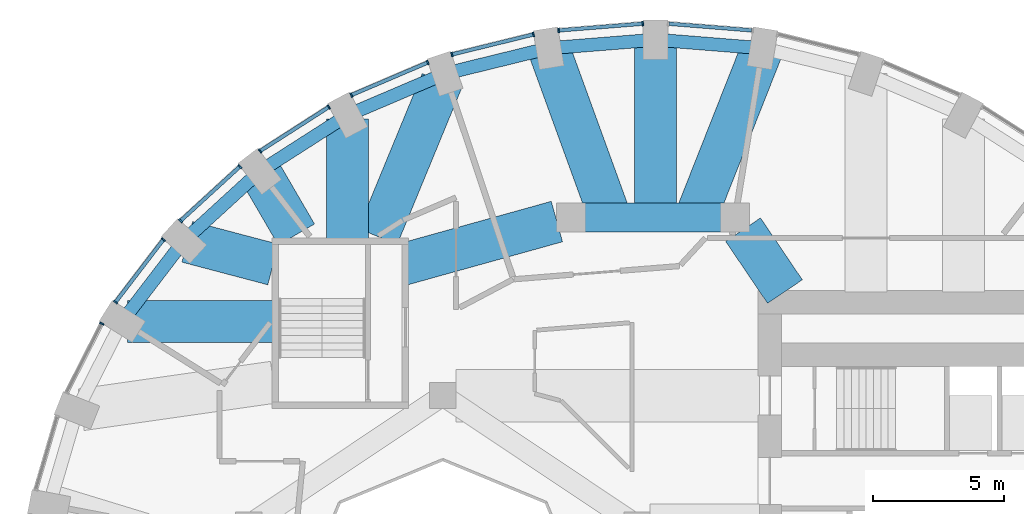
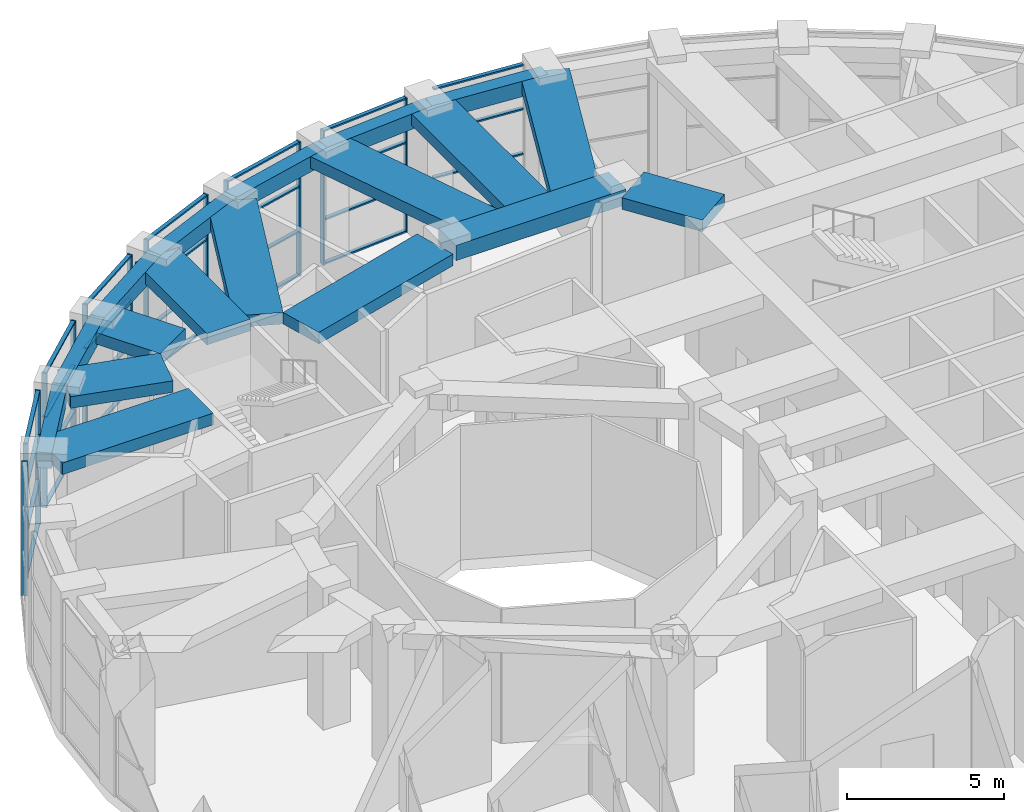
# One storey, part 7 of 17: 41 members, 18 beams, 8 elements without a shape of their own.
"""IFC4 building model written with IfcOpenShell, lengths in metres."""

from ifc_helpers import new_model, si_unit, direction, frame, origin, origin_2d, place, context, subcontext, project, spatial, rectangle, extrude, material, material_profile, profile_set, type_object, element, aggregate, save


model = new_model("IFC4")

# Units and contexts
model_context = context("Model", 3, precision=1e-05, world=origin(), true_north=direction((0.0, 1.0)))
body_context = subcontext(model_context, "Body", "Model", "MODEL_VIEW")
ifc_project = project(units=[si_unit("LENGTHUNIT", "METRE"), si_unit("AREAUNIT", "SQUARE_METRE"), si_unit("VOLUMEUNIT", "CUBIC_METRE"), si_unit("PLANEANGLEUNIT", "RADIAN"), si_unit("MASSUNIT", "GRAM", prefix="KILO")], contexts=[model_context])

# Site, building, storey
site_placement = place(None, origin())
site = spatial("IfcSite", under=ifc_project, at=site_placement, CompositionType="ELEMENT")
building_placement = place(site_placement, origin())
building = spatial("IfcBuilding", under=site, at=building_placement, Name="Taillehof Tower", CompositionType="ELEMENT")
storey_placement = place(building_placement, frame((0.0, 0.0, 139.60009765625)))
storey = spatial("IfcBuildingStorey", under=building, at=storey_placement, Name="L39", CompositionType="ELEMENT", Elevation=139.60009765625)

# Beams
ifc_material_1 = material(Name="Concrete C50/60", Category="concrete")
ifc_material_profile_1 = material_profile(ifc_material_1, rectangle(XDim=1.10009765625, YDim=0.60009765625, at=origin_2d()), Name="RC 1100x600")
ifc_profile_set_1 = profile_set([ifc_material_profile_1], Name="Concrete C50/60")
beam_type_1 = type_object("IfcBeamType", Name="Mid-ring beam C50/60 1100x600", PredefinedType="BEAM", material=ifc_profile_set_1)
beam_1_placement = place(storey_placement, frame((3.125732421875, 14.772216796875, 4.919921875), z_axis=(-1.0, 0.0, 0.0), x_axis=(0.0, -1.0, 0.0)))
element("IfcBeam", 1, at=beam_1_placement, inside=storey, type_object=beam_type_1, Name="Mid-ring beam MB01", PredefinedType="BEAM", context=body_context, shape_type="SweptSolid", body=[
    extrude(rectangle(XDim=1.10009765625, YDim=0.60009765625, at=origin_2d()), origin(), (0.0, 0.0, 1.0), 6.25146484375),
])
ifc_material_2 = material(Name="Concrete C50/60", Category="concrete")
ifc_material_profile_2 = material_profile(ifc_material_2, rectangle(XDim=1.60009765625, YDim=0.449951171875, at=origin_2d()), Name="RC 1600x450")
ifc_profile_set_2 = profile_set([ifc_material_profile_2], Name="Concrete C50/60")
beam_type_2 = type_object("IfcBeamType", Name="Radial band beam C50/60 1600x450", PredefinedType="BEAM", material=ifc_profile_set_2)
beam_2_placement = place(storey_placement, frame((4.172119140625, 21.22412109375, 4.994873046875), z_axis=(-0.36711444375, -0.930175781877, 0.0), x_axis=(0.930175781877, -0.36711444375, 0.0)))
element("IfcBeam", 2, at=beam_2_placement, inside=storey, type_object=beam_type_2, Name="Radial band beam RB09", PredefinedType="BEAM", context=body_context, shape_type="SweptSolid", body=[
    extrude(rectangle(XDim=1.60009765625, YDim=0.449951171875, at=origin_2d()), origin(), (0.0, 0.0, 1.0), 6.936279296875),
])
beam_3_placement = place(storey_placement, frame((0.10009765625, 21.550048828125, 4.994873046875), z_axis=(0.0, -1.0, 0.0), x_axis=(1.0, 0.0, 0.0)))
element("IfcBeam", 3, at=beam_3_placement, inside=storey, type_object=beam_type_2, Name="Radial band beam RB10", PredefinedType="BEAM", context=body_context, shape_type="SweptSolid", body=[
    extrude(rectangle(XDim=1.60009765625, YDim=0.449951171875, at=origin_2d()), origin(), (0.0, 0.0, 1.0), 6.77783203125),
])
beam_4_placement = place(storey_placement, frame((-3.97216796875, 21.22412109375, 4.994873046875), z_axis=(0.341780181607, -0.939779925015, 0.0), x_axis=(0.939779925015, 0.341780181607, 0.0)))
element("IfcBeam", 4, at=beam_4_placement, inside=storey, type_object=beam_type_2, Name="Radial band beam RB11", PredefinedType="BEAM", context=body_context, shape_type="SweptSolid", body=[
    extrude(rectangle(XDim=1.60009765625, YDim=0.449951171875, at=origin_2d()), origin(), (0.0, 0.0, 1.0), 6.865234375),
])
beam_5_placement = place(storey_placement, frame((-8.04443359375, 19.95556640625, 4.994873046875), z_axis=(-0.381176869418, -0.924502133162, 0.0), x_axis=(0.924502133162, -0.381176869418, 0.0)))
element("IfcBeam", 5, at=beam_5_placement, inside=storey, type_object=beam_type_2, Name="Radial band beam RB12", PredefinedType="BEAM", context=body_context, shape_type="SweptSolid", body=[
    extrude(rectangle(XDim=1.60009765625, YDim=0.449951171875, at=origin_2d()), origin(), (0.0, 0.0, 1.0), 6.382568359375),
])
beam_6_placement = place(storey_placement, frame((-11.625, 18.536376953125, 4.994873046875), z_axis=(0.0, -1.0, 0.0), x_axis=(1.0, 0.0, 0.0)))
element("IfcBeam", 6, at=beam_6_placement, inside=storey, type_object=beam_type_2, Name="Radial band beam RB13", PredefinedType="BEAM", context=body_context, shape_type="SweptSolid", body=[
    extrude(rectangle(XDim=1.60009765625, YDim=0.449951171875, at=origin_2d()), origin(), (0.0, 0.0, 1.0), 4.58642578125),
])
beam_7_placement = place(storey_placement, frame((-14.973388671875, 16.53173828125, 4.994873046875), z_axis=(0.502991419937, -0.864291404255, 0.0), x_axis=(0.864291404255, 0.502991419937, 0.0)))
element("IfcBeam", 7, at=beam_7_placement, inside=storey, type_object=beam_type_2, Name="Radial band beam RB14", PredefinedType="BEAM", context=body_context, shape_type="SweptSolid", body=[
    extrude(rectangle(XDim=1.60009765625, YDim=0.449951171875, at=origin_2d()), origin(), (0.0, 0.0, 1.0), 2.779296875),
])
beam_8_placement = place(storey_placement, frame((-17.72998046875, 13.8525390625, 4.994873046875), z_axis=(0.966882543987, -0.255221758736, 0.0), x_axis=(0.255221758736, 0.966882543987, 0.0)))
element("IfcBeam", 8, at=beam_8_placement, inside=storey, type_object=beam_type_2, Name="Radial band beam RB15", PredefinedType="BEAM", context=body_context, shape_type="SweptSolid", body=[
    extrude(rectangle(XDim=1.60009765625, YDim=0.449951171875, at=origin_2d()), origin(), (0.0, 0.0, 1.0), 3.381591796875),
])
beam_9_placement = place(storey_placement, frame((-19.9990234375, 10.824951171875, 4.994873046875), z_axis=(1.0, 0.0, 0.0), x_axis=(0.0, 1.0, 0.0)))
element("IfcBeam", 9, at=beam_9_placement, inside=storey, type_object=beam_type_2, Name="Radial band beam RB16", PredefinedType="BEAM", context=body_context, shape_type="SweptSolid", body=[
    extrude(rectangle(XDim=1.60009765625, YDim=0.449951171875, at=origin_2d()), origin(), (0.0, 0.0, 1.0), 5.549072265625),
])
beam_10_placement = place(storey_placement, frame((3.433837890625, 14.31640625, 4.994873046875), z_axis=(0.560112043398, -0.828416862962, 0.0), x_axis=(0.828416862962, 0.560112043398, 0.0)))
element("IfcBeam", 10, at=beam_10_placement, inside=storey, type_object=beam_type_2, Name="Inner band beam IB205", PredefinedType="BEAM", context=body_context, shape_type="SweptSolid", body=[
    extrude(rectangle(XDim=1.60009765625, YDim=0.449951171875, at=origin_2d()), origin(), (0.0, 0.0, 1.0), 2.84619140625),
])
beam_11_placement = place(storey_placement, frame((-3.655517578125, 14.624755859375, 4.994873046875), z_axis=(-0.963459369536, -0.267854518821, 0.0), x_axis=(0.267854518821, -0.963459369536, 0.0)))
element("IfcBeam", 11, at=beam_11_placement, inside=storey, type_object=beam_type_2, Name="Inner band beam IB206", PredefinedType="BEAM", context=body_context, shape_type="SweptSolid", body=[
    extrude(rectangle(XDim=1.60009765625, YDim=0.449951171875, at=origin_2d()), origin(), (0.0, 0.0, 1.0), 6.096923828125),
])

# Curtain wall, members
ifc_material_3 = material(Name="Aluminium curtain wall with Clear low-emissivity double glazing", Category="aluminium")
curtain_wall_type = type_object("IfcCurtainWallType", Name="Sky lobby curtain wall", PredefinedType="USERDEFINED", material=ifc_material_3)
curtain_wall_1_placement = place(storey_placement, origin())
curtain_wall_1 = element("IfcCurtainWall", 12, at=curtain_wall_1_placement, inside=storey, type_object=curtain_wall_type, Name="Sky lobby L39 bay 10", ObjectType="WINDOW WALL", PredefinedType="USERDEFINED")
ifc_material_4 = material(Name="Aluminium mullion", Category="aluminium")
ifc_material_profile_3 = material_profile(ifc_material_4, rectangle(XDim=0.179931640625, YDim=0.06005859375, at=origin_2d()), Name="AL 60x180")
ifc_profile_set_3 = profile_set([ifc_material_profile_3], Name="Aluminium mullion")
member_type_1 = type_object("IfcMemberType", Name="Sky lobby mullion 60x180", PredefinedType="MULLION", material=ifc_profile_set_3)
member_1_placement = place(storey_placement, frame((-0.385009765625, 22.160888671875, 0.0), z_axis=(0.0, 0.0, 1.0), x_axis=(0.079781193509, -0.996812400185, 0.0)))
member_1 = element("IfcMember", 13, at=member_1_placement, type_object=member_type_1, Name="CT3C10 mullion 1", PredefinedType="MULLION", context=body_context, shape_type="SweptSolid", body=[
    extrude(rectangle(XDim=0.179931640625, YDim=0.06005859375, at=origin_2d()), origin(), (0.0, 0.0, 1.0), 5.219970703125),
])
member_2_placement = place(storey_placement, frame((-3.5908203125, 21.904296875, 0.0), z_axis=(0.0, 0.0, 1.0), x_axis=(0.079781193509, -0.996812400185, 0.0)))
member_2 = element("IfcMember", 14, at=member_2_placement, type_object=member_type_1, Name="CT3C10 mullion 2", PredefinedType="MULLION", context=body_context, shape_type="SweptSolid", body=[
    extrude(rectangle(XDim=0.179931640625, YDim=0.06005859375, at=origin_2d()), origin(), (0.0, 0.0, 1.0), 5.219970703125),
])

curtain_wall_2_placement = place(storey_placement, origin())
curtain_wall_2 = element("IfcCurtainWall", 15, at=curtain_wall_2_placement, inside=storey, type_object=curtain_wall_type, Name="Sky lobby L39 bay 11", ObjectType="WINDOW WALL", PredefinedType="USERDEFINED")
member_3_placement = place(storey_placement, frame((-4.54833984375, 21.749755859375, 0.0), z_axis=(0.0, 0.0, 1.0), x_axis=(0.238077279402, -0.971246214424, 0.0)))
member_3 = element("IfcMember", 16, at=member_3_placement, type_object=member_type_1, Name="CT3C11 mullion 1", PredefinedType="MULLION", context=body_context, shape_type="SweptSolid", body=[
    extrude(rectangle(XDim=0.179931640625, YDim=0.06005859375, at=origin_2d()), origin(), (0.0, 0.0, 1.0), 5.219970703125),
])
member_4_placement = place(storey_placement, frame((-7.653564453125, 20.988525390625, 0.0), z_axis=(0.0, 0.0, 1.0), x_axis=(0.238077279402, -0.971246214424, 0.0)))
member_4 = element("IfcMember", 17, at=member_4_placement, type_object=member_type_1, Name="CT3C11 mullion 2", PredefinedType="MULLION", context=body_context, shape_type="SweptSolid", body=[
    extrude(rectangle(XDim=0.179931640625, YDim=0.06005859375, at=origin_2d()), origin(), (0.0, 0.0, 1.0), 5.219970703125),
])

curtain_wall_3_placement = place(storey_placement, origin())
curtain_wall_3 = element("IfcCurtainWall", 18, at=curtain_wall_3_placement, inside=storey, type_object=curtain_wall_type, Name="Sky lobby L39 bay 12", ObjectType="WINDOW WALL", PredefinedType="USERDEFINED")
member_5_placement = place(storey_placement, frame((-8.57373046875, 20.681640625, 0.0), z_axis=(0.0, 0.0, 1.0), x_axis=(0.392378786783, -0.919803722368, 0.0)))
member_5 = element("IfcMember", 19, at=member_5_placement, type_object=member_type_1, Name="CT3C12 mullion 1", PredefinedType="MULLION", context=body_context, shape_type="SweptSolid", body=[
    extrude(rectangle(XDim=0.179931640625, YDim=0.06005859375, at=origin_2d()), origin(), (0.0, 0.0, 1.0), 5.219970703125),
])
member_6_placement = place(storey_placement, frame((-11.4814453125, 19.44140625, 0.0), z_axis=(0.0, 0.0, 1.0), x_axis=(0.392378786783, -0.919803722368, 0.0)))
member_6 = element("IfcMember", 20, at=member_6_placement, type_object=member_type_1, Name="CT3C12 mullion 2", PredefinedType="MULLION", context=body_context, shape_type="SweptSolid", body=[
    extrude(rectangle(XDim=0.179931640625, YDim=0.06005859375, at=origin_2d()), origin(), (0.0, 0.0, 1.0), 5.219970703125),
])

curtain_wall_4_placement = place(storey_placement, origin())
curtain_wall_4 = element("IfcCurtainWall", 21, at=curtain_wall_4_placement, inside=storey, type_object=curtain_wall_type, Name="Sky lobby L39 bay 13", ObjectType="WINDOW WALL", PredefinedType="USERDEFINED")
member_7_placement = place(storey_placement, frame((-12.3388671875, 18.98779296875, 0.0), z_axis=(0.0, 0.0, 1.0), x_axis=(0.539394467052, -0.842053210263, 0.0)))
member_7 = element("IfcMember", 22, at=member_7_placement, type_object=member_type_1, Name="CT3C13 mullion 1", PredefinedType="MULLION", context=body_context, shape_type="SweptSolid", body=[
    extrude(rectangle(XDim=0.179931640625, YDim=0.06005859375, at=origin_2d()), origin(), (0.0, 0.0, 1.0), 5.219970703125),
])
member_8_placement = place(storey_placement, frame((-14.959716796875, 17.30908203125, 0.0), z_axis=(0.0, 0.0, 1.0), x_axis=(0.539394467052, -0.842053210263, 0.0)))
member_8 = element("IfcMember", 23, at=member_8_placement, type_object=member_type_1, Name="CT3C13 mullion 2", PredefinedType="MULLION", context=body_context, shape_type="SweptSolid", body=[
    extrude(rectangle(XDim=0.179931640625, YDim=0.06005859375, at=origin_2d()), origin(), (0.0, 0.0, 1.0), 5.219970703125),
])

curtain_wall_5_placement = place(storey_placement, origin())
curtain_wall_5 = element("IfcCurtainWall", 24, at=curtain_wall_5_placement, inside=storey, type_object=curtain_wall_type, Name="Sky lobby L39 bay 14", ObjectType="WINDOW WALL", PredefinedType="USERDEFINED")
member_9_placement = place(storey_placement, frame((-15.728759765625, 16.718017578125, 0.0), z_axis=(0.0, 0.0, 1.0), x_axis=(0.674990165311, -0.737826725413, 0.0)))
member_9 = element("IfcMember", 25, at=member_9_placement, type_object=member_type_1, Name="CT3C14 mullion 1", PredefinedType="MULLION", context=body_context, shape_type="SweptSolid", body=[
    extrude(rectangle(XDim=0.179931640625, YDim=0.06005859375, at=origin_2d()), origin(), (0.0, 0.0, 1.0), 5.219970703125),
])
member_10_placement = place(storey_placement, frame((-17.98388671875, 14.65478515625, 0.0), z_axis=(0.0, 0.0, 1.0), x_axis=(0.674990165311, -0.737826725413, 0.0)))
member_10 = element("IfcMember", 26, at=member_10_placement, type_object=member_type_1, Name="CT3C14 mullion 2", PredefinedType="MULLION", context=body_context, shape_type="SweptSolid", body=[
    extrude(rectangle(XDim=0.179931640625, YDim=0.06005859375, at=origin_2d()), origin(), (0.0, 0.0, 1.0), 5.219970703125),
])

curtain_wall_6_placement = place(storey_placement, origin())
curtain_wall_6 = element("IfcCurtainWall", 27, at=curtain_wall_6_placement, inside=storey, type_object=curtain_wall_type, Name="Sky lobby L39 bay 15", ObjectType="WINDOW WALL", PredefinedType="USERDEFINED")
member_11_placement = place(storey_placement, frame((-18.638916015625, 13.939697265625, 0.0), z_axis=(0.0, 0.0, 1.0), x_axis=(0.794097111323, -0.607790899725, 0.0)))
member_11 = element("IfcMember", 28, at=member_11_placement, type_object=member_type_1, Name="CT3C15 mullion 1", PredefinedType="MULLION", context=body_context, shape_type="SweptSolid", body=[
    extrude(rectangle(XDim=0.179931640625, YDim=0.06005859375, at=origin_2d()), origin(), (0.0, 0.0, 1.0), 5.219970703125),
])
member_12_placement = place(storey_placement, frame((-20.462158203125, 11.5576171875, 0.0), z_axis=(0.0, 0.0, 1.0), x_axis=(0.794097111323, -0.607790899725, 0.0)))
member_12 = element("IfcMember", 29, at=member_12_placement, type_object=member_type_1, Name="CT3C15 mullion 2", PredefinedType="MULLION", context=body_context, shape_type="SweptSolid", body=[
    extrude(rectangle(XDim=0.179931640625, YDim=0.06005859375, at=origin_2d()), origin(), (0.0, 0.0, 1.0), 5.219970703125),
])

# Curtain wall, member
curtain_wall_7_placement = place(storey_placement, origin())
curtain_wall_7 = element("IfcCurtainWall", 30, at=curtain_wall_7_placement, inside=storey, type_object=curtain_wall_type, Name="Sky lobby L39 bay 16", ObjectType="WINDOW WALL", PredefinedType="USERDEFINED")
member_13_placement = place(storey_placement, frame((-20.979248046875, 10.737060546875, 0.0), z_axis=(0.0, 0.0, 1.0), x_axis=(0.890939920431, -0.454121193276, 0.0)))
member_13 = element("IfcMember", 31, at=member_13_placement, type_object=member_type_1, Name="CT3C16 mullion 1", PredefinedType="MULLION", context=body_context, shape_type="SweptSolid", body=[
    extrude(rectangle(XDim=0.179931640625, YDim=0.06005859375, at=origin_2d()), origin(), (0.0, 0.0, 1.0), 5.219970703125),
])
aggregate(curtain_wall_7, [member_13])

# Curtain wall, members
curtain_wall_8_placement = place(storey_placement, origin())
curtain_wall_8 = element("IfcCurtainWall", 32, at=curtain_wall_8_placement, inside=storey, type_object=curtain_wall_type, Name="Sky lobby L39 bay 9", ObjectType="WINDOW WALL", PredefinedType="USERDEFINED")
ifc_material_5 = material(Name="Aluminium transom", Category="aluminium")
ifc_material_profile_4 = material_profile(ifc_material_5, rectangle(XDim=0.139892578125, YDim=0.06005859375, at=origin_2d()), Name="AL 140x60")
ifc_profile_set_4 = profile_set([ifc_material_profile_4], Name="Aluminium transom")
member_type_2 = type_object("IfcMemberType", Name="Sky lobby transom 140x60", PredefinedType="USERDEFINED", material=ifc_profile_set_4)
member_14_placement = place(storey_placement, frame((3.760986328125, 21.90673828125, 0.02978515625), z_axis=(-0.996814540595, 0.079754446015, 0.0), x_axis=(-0.079754446015, -0.996814540595, 0.0)))
member_14 = element("IfcMember", 33, at=member_14_placement, type_object=member_type_2, Name="CT3C09 transom 1.1", ObjectType="TRANSOM", PredefinedType="USERDEFINED", context=body_context, shape_type="SweptSolid", body=[
    extrude(rectangle(XDim=0.139892578125, YDim=0.06005859375, at=origin_2d()), origin(), (0.0, 0.0, 1.0), 3.156005859375),
])
member_15_placement = place(storey_placement, frame((3.760986328125, 21.90673828125, 1.739990234375), z_axis=(-0.996814540595, 0.079754446015, 0.0), x_axis=(-0.079754446015, -0.996814540595, 0.0)))
member_15 = element("IfcMember", 34, at=member_15_placement, type_object=member_type_2, Name="CT3C09 transom 1.2", ObjectType="TRANSOM", PredefinedType="USERDEFINED", context=body_context, shape_type="SweptSolid", body=[
    extrude(rectangle(XDim=0.139892578125, YDim=0.06005859375, at=origin_2d()), origin(), (0.0, 0.0, 1.0), 3.156005859375),
])
member_16_placement = place(storey_placement, frame((3.760986328125, 21.90673828125, 3.47998046875), z_axis=(-0.996814540595, 0.079754446015, 0.0), x_axis=(-0.079754446015, -0.996814540595, 0.0)))
member_16 = element("IfcMember", 35, at=member_16_placement, type_object=member_type_2, Name="CT3C09 transom 1.3", ObjectType="TRANSOM", PredefinedType="USERDEFINED", context=body_context, shape_type="SweptSolid", body=[
    extrude(rectangle(XDim=0.139892578125, YDim=0.06005859375, at=origin_2d()), origin(), (0.0, 0.0, 1.0), 3.156005859375),
])
member_17_placement = place(storey_placement, frame((3.760986328125, 21.90673828125, 5.18994140625), z_axis=(-0.996814540595, 0.079754446015, 0.0), x_axis=(-0.079754446015, -0.996814540595, 0.0)))
member_17 = element("IfcMember", 36, at=member_17_placement, type_object=member_type_2, Name="CT3C09 transom 1.4", ObjectType="TRANSOM", PredefinedType="USERDEFINED", context=body_context, shape_type="SweptSolid", body=[
    extrude(rectangle(XDim=0.139892578125, YDim=0.06005859375, at=origin_2d()), origin(), (0.0, 0.0, 1.0), 3.156005859375),
])
aggregate(curtain_wall_8, [member_14, member_15, member_16, member_17])

# Member
member_18_placement = place(storey_placement, frame((-0.414794921875, 22.158447265625, 0.02978515625), z_axis=(-0.996814540595, -0.079754446015, 0.0), x_axis=(0.079754446015, -0.996814540595, 0.0)))
member_18 = element("IfcMember", 37, at=member_18_placement, type_object=member_type_2, Name="CT3C10 transom 1.1", ObjectType="TRANSOM", PredefinedType="USERDEFINED", context=body_context, shape_type="SweptSolid", body=[
    extrude(rectangle(XDim=0.139892578125, YDim=0.06005859375, at=origin_2d()), origin(), (0.0, 0.0, 1.0), 3.156005859375),
])

member_19_placement = place(storey_placement, frame((-0.414794921875, 22.158447265625, 1.739990234375), z_axis=(-0.996814540595, -0.079754446015, 0.0), x_axis=(0.079754446015, -0.996814540595, 0.0)))
member_19 = element("IfcMember", 38, at=member_19_placement, type_object=member_type_2, Name="CT3C10 transom 1.2", ObjectType="TRANSOM", PredefinedType="USERDEFINED", context=body_context, shape_type="SweptSolid", body=[
    extrude(rectangle(XDim=0.139892578125, YDim=0.06005859375, at=origin_2d()), origin(), (0.0, 0.0, 1.0), 3.156005859375),
])

member_20_placement = place(storey_placement, frame((-0.414794921875, 22.158447265625, 3.47998046875), z_axis=(-0.996814540595, -0.079754446015, 0.0), x_axis=(0.079754446015, -0.996814540595, 0.0)))
member_20 = element("IfcMember", 39, at=member_20_placement, type_object=member_type_2, Name="CT3C10 transom 1.3", ObjectType="TRANSOM", PredefinedType="USERDEFINED", context=body_context, shape_type="SweptSolid", body=[
    extrude(rectangle(XDim=0.139892578125, YDim=0.06005859375, at=origin_2d()), origin(), (0.0, 0.0, 1.0), 3.156005859375),
])

member_21_placement = place(storey_placement, frame((-0.414794921875, 22.158447265625, 5.18994140625), z_axis=(-0.996814540595, -0.079754446015, 0.0), x_axis=(0.079754446015, -0.996814540595, 0.0)))
member_21 = element("IfcMember", 40, at=member_21_placement, type_object=member_type_2, Name="CT3C10 transom 1.4", ObjectType="TRANSOM", PredefinedType="USERDEFINED", context=body_context, shape_type="SweptSolid", body=[
    extrude(rectangle(XDim=0.139892578125, YDim=0.06005859375, at=origin_2d()), origin(), (0.0, 0.0, 1.0), 3.156005859375),
])

aggregate(curtain_wall_1, [member_1, member_2, member_18, member_19, member_20, member_21])

member_22_placement = place(storey_placement, frame((-4.577392578125, 21.742431640625, 0.02978515625), z_axis=(-0.971249221053, -0.238065013398, 0.0), x_axis=(0.238065013398, -0.971249221053, 0.0)))
member_22 = element("IfcMember", 41, at=member_22_placement, type_object=member_type_2, Name="CT3C11 transom 1.1", ObjectType="TRANSOM", PredefinedType="USERDEFINED", context=body_context, shape_type="SweptSolid", body=[
    extrude(rectangle(XDim=0.139892578125, YDim=0.06005859375, at=origin_2d()), origin(), (0.0, 0.0, 1.0), 3.136962890625),
])

member_23_placement = place(storey_placement, frame((-4.577392578125, 21.742431640625, 1.739990234375), z_axis=(-0.971249221053, -0.238065013398, 0.0), x_axis=(0.238065013398, -0.971249221053, 0.0)))
member_23 = element("IfcMember", 42, at=member_23_placement, type_object=member_type_2, Name="CT3C11 transom 1.2", ObjectType="TRANSOM", PredefinedType="USERDEFINED", context=body_context, shape_type="SweptSolid", body=[
    extrude(rectangle(XDim=0.139892578125, YDim=0.06005859375, at=origin_2d()), origin(), (0.0, 0.0, 1.0), 3.136962890625),
])

member_24_placement = place(storey_placement, frame((-4.577392578125, 21.742431640625, 3.47998046875), z_axis=(-0.971249221053, -0.238065013398, 0.0), x_axis=(0.238065013398, -0.971249221053, 0.0)))
member_24 = element("IfcMember", 43, at=member_24_placement, type_object=member_type_2, Name="CT3C11 transom 1.3", ObjectType="TRANSOM", PredefinedType="USERDEFINED", context=body_context, shape_type="SweptSolid", body=[
    extrude(rectangle(XDim=0.139892578125, YDim=0.06005859375, at=origin_2d()), origin(), (0.0, 0.0, 1.0), 3.136962890625),
])

member_25_placement = place(storey_placement, frame((-4.577392578125, 21.742431640625, 5.18994140625), z_axis=(-0.971249221053, -0.238065013398, 0.0), x_axis=(0.238065013398, -0.971249221053, 0.0)))
member_25 = element("IfcMember", 44, at=member_25_placement, type_object=member_type_2, Name="CT3C11 transom 1.4", ObjectType="TRANSOM", PredefinedType="USERDEFINED", context=body_context, shape_type="SweptSolid", body=[
    extrude(rectangle(XDim=0.139892578125, YDim=0.06005859375, at=origin_2d()), origin(), (0.0, 0.0, 1.0), 3.136962890625),
])

aggregate(curtain_wall_2, [member_3, member_4, member_22, member_23, member_24, member_25])

member_26_placement = place(storey_placement, frame((-8.601318359375, 20.669921875, 0.02978515625), z_axis=(-0.919811506144, -0.392360539766, 0.0), x_axis=(0.392360539766, -0.919811506144, 0.0)))
member_26 = element("IfcMember", 45, at=member_26_placement, type_object=member_type_2, Name="CT3C12 transom 1.1", ObjectType="TRANSOM", PredefinedType="USERDEFINED", context=body_context, shape_type="SweptSolid", body=[
    extrude(rectangle(XDim=0.139892578125, YDim=0.06005859375, at=origin_2d()), origin(), (0.0, 0.0, 1.0), 3.101318359375),
])

member_27_placement = place(storey_placement, frame((-8.601318359375, 20.669921875, 1.739990234375), z_axis=(-0.919811506144, -0.392360539766, 0.0), x_axis=(0.392360539766, -0.919811506144, 0.0)))
member_27 = element("IfcMember", 46, at=member_27_placement, type_object=member_type_2, Name="CT3C12 transom 1.2", ObjectType="TRANSOM", PredefinedType="USERDEFINED", context=body_context, shape_type="SweptSolid", body=[
    extrude(rectangle(XDim=0.139892578125, YDim=0.06005859375, at=origin_2d()), origin(), (0.0, 0.0, 1.0), 3.101318359375),
])

member_28_placement = place(storey_placement, frame((-8.601318359375, 20.669921875, 3.47998046875), z_axis=(-0.919811506144, -0.392360539766, 0.0), x_axis=(0.392360539766, -0.919811506144, 0.0)))
member_28 = element("IfcMember", 47, at=member_28_placement, type_object=member_type_2, Name="CT3C12 transom 1.3", ObjectType="TRANSOM", PredefinedType="USERDEFINED", context=body_context, shape_type="SweptSolid", body=[
    extrude(rectangle(XDim=0.139892578125, YDim=0.06005859375, at=origin_2d()), origin(), (0.0, 0.0, 1.0), 3.101318359375),
])

member_29_placement = place(storey_placement, frame((-8.601318359375, 20.669921875, 5.18994140625), z_axis=(-0.919811506144, -0.392360539766, 0.0), x_axis=(0.392360539766, -0.919811506144, 0.0)))
member_29 = element("IfcMember", 48, at=member_29_placement, type_object=member_type_2, Name="CT3C12 transom 1.4", ObjectType="TRANSOM", PredefinedType="USERDEFINED", context=body_context, shape_type="SweptSolid", body=[
    extrude(rectangle(XDim=0.139892578125, YDim=0.06005859375, at=origin_2d()), origin(), (0.0, 0.0, 1.0), 3.101318359375),
])

aggregate(curtain_wall_3, [member_5, member_6, member_26, member_27, member_28, member_29])

member_30_placement = place(storey_placement, frame((-12.364013671875, 18.9716796875, 0.02978515625), z_axis=(-0.842073808218, -0.53936231006, 0.0), x_axis=(0.53936231006, -0.842073808218, 0.0)))
member_30 = element("IfcMember", 49, at=member_30_placement, type_object=member_type_2, Name="CT3C13 transom 1.1", ObjectType="TRANSOM", PredefinedType="USERDEFINED", context=body_context, shape_type="SweptSolid", body=[
    extrude(rectangle(XDim=0.139892578125, YDim=0.06005859375, at=origin_2d()), origin(), (0.0, 0.0, 1.0), 3.052734375),
])

member_31_placement = place(storey_placement, frame((-12.364013671875, 18.9716796875, 1.739990234375), z_axis=(-0.842073808218, -0.53936231006, 0.0), x_axis=(0.53936231006, -0.842073808218, 0.0)))
member_31 = element("IfcMember", 50, at=member_31_placement, type_object=member_type_2, Name="CT3C13 transom 1.2", ObjectType="TRANSOM", PredefinedType="USERDEFINED", context=body_context, shape_type="SweptSolid", body=[
    extrude(rectangle(XDim=0.139892578125, YDim=0.06005859375, at=origin_2d()), origin(), (0.0, 0.0, 1.0), 3.052734375),
])

member_32_placement = place(storey_placement, frame((-12.364013671875, 18.9716796875, 3.47998046875), z_axis=(-0.842073808218, -0.53936231006, 0.0), x_axis=(0.53936231006, -0.842073808218, 0.0)))
member_32 = element("IfcMember", 51, at=member_32_placement, type_object=member_type_2, Name="CT3C13 transom 1.3", ObjectType="TRANSOM", PredefinedType="USERDEFINED", context=body_context, shape_type="SweptSolid", body=[
    extrude(rectangle(XDim=0.139892578125, YDim=0.06005859375, at=origin_2d()), origin(), (0.0, 0.0, 1.0), 3.052734375),
])

member_33_placement = place(storey_placement, frame((-12.364013671875, 18.9716796875, 5.18994140625), z_axis=(-0.842073808218, -0.53936231006, 0.0), x_axis=(0.53936231006, -0.842073808218, 0.0)))
member_33 = element("IfcMember", 52, at=member_33_placement, type_object=member_type_2, Name="CT3C13 transom 1.4", ObjectType="TRANSOM", PredefinedType="USERDEFINED", context=body_context, shape_type="SweptSolid", body=[
    extrude(rectangle(XDim=0.139892578125, YDim=0.06005859375, at=origin_2d()), origin(), (0.0, 0.0, 1.0), 3.052734375),
])

aggregate(curtain_wall_4, [member_7, member_8, member_30, member_31, member_32, member_33])

member_34_placement = place(storey_placement, frame((-15.7509765625, 16.69775390625, 0.02978515625), z_axis=(-0.737779510532, -0.675041771922, 0.0), x_axis=(0.675041771922, -0.737779510532, 0.0)))
member_34 = element("IfcMember", 53, at=member_34_placement, type_object=member_type_2, Name="CT3C14 transom 1.1", ObjectType="TRANSOM", PredefinedType="USERDEFINED", context=body_context, shape_type="SweptSolid", body=[
    extrude(rectangle(XDim=0.139892578125, YDim=0.06005859375, at=origin_2d()), origin(), (0.0, 0.0, 1.0), 2.996337890625),
])

member_35_placement = place(storey_placement, frame((-15.7509765625, 16.69775390625, 1.739990234375), z_axis=(-0.737779510532, -0.675041771922, 0.0), x_axis=(0.675041771922, -0.737779510532, 0.0)))
member_35 = element("IfcMember", 54, at=member_35_placement, type_object=member_type_2, Name="CT3C14 transom 1.2", ObjectType="TRANSOM", PredefinedType="USERDEFINED", context=body_context, shape_type="SweptSolid", body=[
    extrude(rectangle(XDim=0.139892578125, YDim=0.06005859375, at=origin_2d()), origin(), (0.0, 0.0, 1.0), 2.996337890625),
])

member_36_placement = place(storey_placement, frame((-15.7509765625, 16.69775390625, 3.47998046875), z_axis=(-0.737779510532, -0.675041771922, 0.0), x_axis=(0.675041771922, -0.737779510532, 0.0)))
member_36 = element("IfcMember", 55, at=member_36_placement, type_object=member_type_2, Name="CT3C14 transom 1.3", ObjectType="TRANSOM", PredefinedType="USERDEFINED", context=body_context, shape_type="SweptSolid", body=[
    extrude(rectangle(XDim=0.139892578125, YDim=0.06005859375, at=origin_2d()), origin(), (0.0, 0.0, 1.0), 2.996337890625),
])

member_37_placement = place(storey_placement, frame((-15.7509765625, 16.69775390625, 5.18994140625), z_axis=(-0.737779510532, -0.675041771922, 0.0), x_axis=(0.675041771922, -0.737779510532, 0.0)))
member_37 = element("IfcMember", 56, at=member_37_placement, type_object=member_type_2, Name="CT3C14 transom 1.4", ObjectType="TRANSOM", PredefinedType="USERDEFINED", context=body_context, shape_type="SweptSolid", body=[
    extrude(rectangle(XDim=0.139892578125, YDim=0.06005859375, at=origin_2d()), origin(), (0.0, 0.0, 1.0), 2.996337890625),
])

aggregate(curtain_wall_5, [member_9, member_10, member_34, member_35, member_36, member_37])

member_38_placement = place(storey_placement, frame((-18.6572265625, 13.915771484375, 0.02978515625), z_axis=(-0.607798409767, -0.794091363185, 0.0), x_axis=(0.794091363185, -0.607798409767, 0.0)))
member_38 = element("IfcMember", 57, at=member_38_placement, type_object=member_type_2, Name="CT3C15 transom 1.1", ObjectType="TRANSOM", PredefinedType="USERDEFINED", context=body_context, shape_type="SweptSolid", body=[
    extrude(rectangle(XDim=0.139892578125, YDim=0.06005859375, at=origin_2d()), origin(), (0.0, 0.0, 1.0), 2.939453125),
])

member_39_placement = place(storey_placement, frame((-18.6572265625, 13.915771484375, 1.739990234375), z_axis=(-0.607798409767, -0.794091363185, 0.0), x_axis=(0.794091363185, -0.607798409767, 0.0)))
member_39 = element("IfcMember", 58, at=member_39_placement, type_object=member_type_2, Name="CT3C15 transom 1.2", ObjectType="TRANSOM", PredefinedType="USERDEFINED", context=body_context, shape_type="SweptSolid", body=[
    extrude(rectangle(XDim=0.139892578125, YDim=0.06005859375, at=origin_2d()), origin(), (0.0, 0.0, 1.0), 2.939453125),
])

member_40_placement = place(storey_placement, frame((-18.6572265625, 13.915771484375, 3.47998046875), z_axis=(-0.607798409767, -0.794091363185, 0.0), x_axis=(0.794091363185, -0.607798409767, 0.0)))
member_40 = element("IfcMember", 59, at=member_40_placement, type_object=member_type_2, Name="CT3C15 transom 1.3", ObjectType="TRANSOM", PredefinedType="USERDEFINED", context=body_context, shape_type="SweptSolid", body=[
    extrude(rectangle(XDim=0.139892578125, YDim=0.06005859375, at=origin_2d()), origin(), (0.0, 0.0, 1.0), 2.939453125),
])

member_41_placement = place(storey_placement, frame((-18.6572265625, 13.915771484375, 5.18994140625), z_axis=(-0.607798409767, -0.794091363185, 0.0), x_axis=(0.794091363185, -0.607798409767, 0.0)))
member_41 = element("IfcMember", 60, at=member_41_placement, type_object=member_type_2, Name="CT3C15 transom 1.4", ObjectType="TRANSOM", PredefinedType="USERDEFINED", context=body_context, shape_type="SweptSolid", body=[
    extrude(rectangle(XDim=0.139892578125, YDim=0.06005859375, at=origin_2d()), origin(), (0.0, 0.0, 1.0), 2.939453125),
])

aggregate(curtain_wall_6, [member_11, member_12, member_38, member_39, member_40, member_41])

# Beams
ifc_material_6 = material(Name="Concrete C50/60", Category="concrete")
ifc_material_profile_5 = material_profile(ifc_material_6, rectangle(XDim=0.5, YDim=0.60009765625, at=origin_2d()), Name="RC 500x600")
ifc_profile_set_5 = profile_set([ifc_material_profile_5], Name="Concrete C50/60")
beam_type_3 = type_object("IfcBeamType", Name="Spandrel beam C50/60 500x600", PredefinedType="SPANDREL", material=ifc_profile_set_5)
beam_12_placement = place(storey_placement, frame((4.172119140625, 21.22412109375, 4.919921875), z_axis=(-0.996812047205, 0.079785603634, 0.0), x_axis=(-0.079785603634, -0.996812047205, 0.0)))
element("IfcBeam", 61, at=beam_12_placement, inside=storey, type_object=beam_type_3, Name="Spandrel beam SB09", PredefinedType="SPANDREL", context=body_context, shape_type="SweptSolid", body=[
    extrude(rectangle(XDim=0.5, YDim=0.60009765625, at=origin_2d()), origin(), (0.0, 0.0, 1.0), 4.0849609375),
])
beam_13_placement = place(storey_placement, frame((0.10009765625, 21.550048828125, 4.919921875), z_axis=(-0.996812427616, -0.079780850771, 0.0), x_axis=(0.079780850771, -0.996812427616, 0.0)))
element("IfcBeam", 62, at=beam_13_placement, inside=storey, type_object=beam_type_3, Name="Spandrel beam SB10", PredefinedType="SPANDREL", context=body_context, shape_type="SweptSolid", body=[
    extrude(rectangle(XDim=0.5, YDim=0.60009765625, at=origin_2d()), origin(), (0.0, 0.0, 1.0), 4.085205078125),
])
beam_14_placement = place(storey_placement, frame((-3.97216796875, 21.22412109375, 4.919921875), z_axis=(-0.971248584585, -0.238067610023, 0.0), x_axis=(0.238067610023, -0.971248584585, 0.0)))
element("IfcBeam", 63, at=beam_14_placement, inside=storey, type_object=beam_type_3, Name="Spandrel beam SB11", PredefinedType="SPANDREL", context=body_context, shape_type="SweptSolid", body=[
    extrude(rectangle(XDim=0.5, YDim=0.60009765625, at=origin_2d()), origin(), (0.0, 0.0, 1.0), 4.065185546875),
])
beam_15_placement = place(storey_placement, frame((-7.92041015625, 20.25634765625, 4.919921875), z_axis=(-0.919827173659, -0.392323808351, 0.0), x_axis=(0.392323808351, -0.919827173659, 0.0)))
element("IfcBeam", 64, at=beam_15_placement, inside=storey, type_object=beam_type_3, Name="Spandrel beam SB12", PredefinedType="SPANDREL", context=body_context, shape_type="SweptSolid", body=[
    extrude(rectangle(XDim=0.5, YDim=0.60009765625, at=origin_2d()), origin(), (0.0, 0.0, 1.0), 4.027587890625),
])
beam_16_placement = place(storey_placement, frame((-11.625, 18.67626953125, 4.919921875), z_axis=(-0.842092940799, -0.53933243835, 0.0), x_axis=(0.53933243835, -0.842092940799, 0.0)))
element("IfcBeam", 65, at=beam_16_placement, inside=storey, type_object=beam_type_3, Name="Spandrel beam SB13", PredefinedType="SPANDREL", context=body_context, shape_type="SweptSolid", body=[
    extrude(rectangle(XDim=0.5, YDim=0.60009765625, at=origin_2d()), origin(), (0.0, 0.0, 1.0), 3.976318359375),
])
beam_17_placement = place(storey_placement, frame((-14.973388671875, 16.53173828125, 4.919921875), z_axis=(-0.737849657471, -0.674965097594, 0.0), x_axis=(0.674965097594, -0.737849657471, 0.0)))
element("IfcBeam", 66, at=beam_17_placement, inside=storey, type_object=beam_type_3, Name="Spandrel beam SB14", PredefinedType="SPANDREL", context=body_context, shape_type="SweptSolid", body=[
    extrude(rectangle(XDim=0.5, YDim=0.60009765625, at=origin_2d()), origin(), (0.0, 0.0, 1.0), 3.917236328125),
])
beam_18_placement = place(storey_placement, frame((-17.86376953125, 13.8876953125, 4.919921875), z_axis=(-0.60784004271, -0.794059495553, 0.0), x_axis=(0.794059495553, -0.60784004271, 0.0)))
element("IfcBeam", 67, at=beam_18_placement, inside=storey, type_object=beam_type_3, Name="Spandrel beam SB15", PredefinedType="SPANDREL", context=body_context, shape_type="SweptSolid", body=[
    extrude(rectangle(XDim=0.5, YDim=0.60009765625, at=origin_2d()), origin(), (0.0, 0.0, 1.0), 3.857177734375),
])

save(model, "model.ifc")
